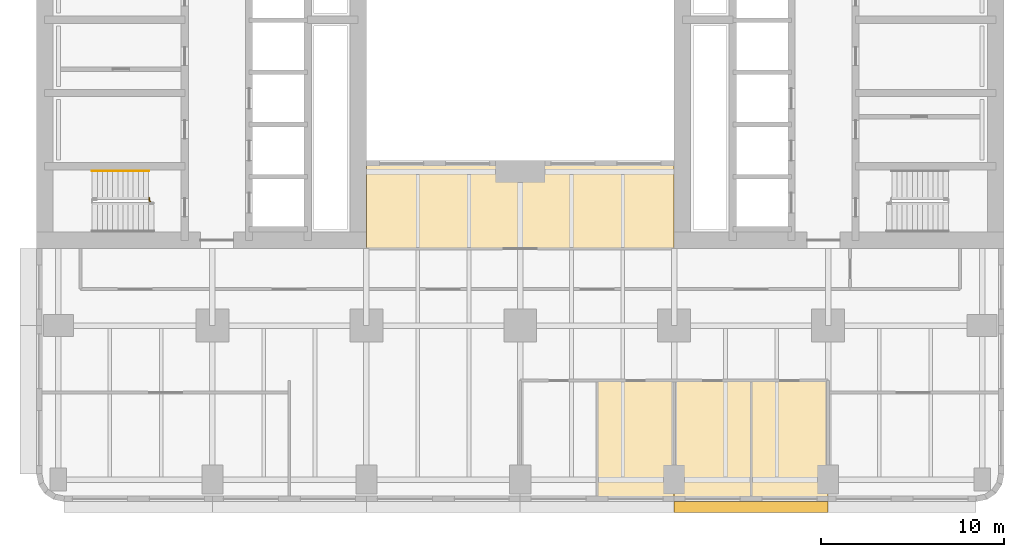
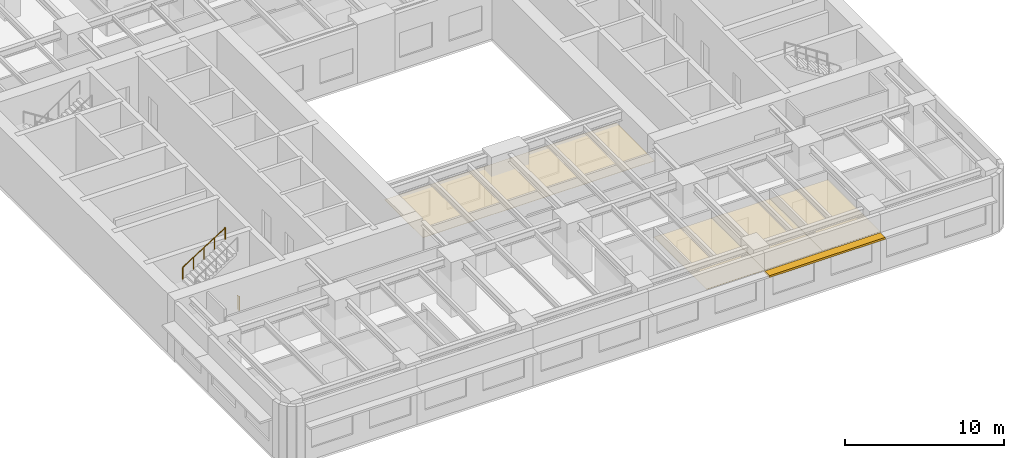
# One storey, part 10 of 14: 4 coverings, 2 railings, 1 shading device.
"""IFC4 building model written with IfcOpenShell, lengths in metres."""

from ifc_helpers import new_model, si_unit, direction, frame, origin, origin_2d, place, context, subcontext, project, spatial, polyline, rectangle, circle, outline, extrude, material, layer, layer_set, type_object, element, save


model = new_model("IFC4")

# Units and contexts
model_context = context("Model", 3, precision=1e-05, world=origin(), true_north=direction((0.0, 1.0)))
body_context = subcontext(model_context, "Body", "Model", "MODEL_VIEW")
ifc_project = project(units=[si_unit("LENGTHUNIT", "METRE"), si_unit("AREAUNIT", "SQUARE_METRE"), si_unit("VOLUMEUNIT", "CUBIC_METRE"), si_unit("PLANEANGLEUNIT", "RADIAN"), si_unit("MASSUNIT", "GRAM", prefix="KILO")], contexts=[model_context])

# Site, building, storey
site_placement = place(None, origin())
site = spatial("IfcSite", under=ifc_project, at=site_placement, CompositionType="ELEMENT")
building_placement = place(site_placement, origin())
building = spatial("IfcBuilding", under=site, at=building_placement, Name="Claustro Exchange Tower", CompositionType="ELEMENT")
storey_placement = place(building_placement, frame((0.0, 0.0, 41.39990234375)))
storey = spatial("IfcBuildingStorey", under=building, at=storey_placement, Name="L09", CompositionType="ELEMENT", Elevation=41.39990234375)

# Coverings
ifc_material_1 = material(Name="Gypsum board ceiling", Category="gypsum board")
ifc_layer_1 = layer(ifc_material_1, 0.02490234375)
ifc_layer_set_1 = layer_set([ifc_layer_1], Name="Gypsum board ceiling")
covering_type = type_object("IfcCoveringType", Name="CL2 plasterboard ceiling", PredefinedType="CEILING", material=ifc_layer_set_1)
covering_1_placement = place(storey_placement, frame((0.0, 0.0, 3.0)))
element("IfcCovering", 1, at=covering_1_placement, inside=storey, type_object=covering_type, Name="Ceiling CL2 L09-04", PredefinedType="CEILING", context=body_context, shape_type="SweptSolid", body=[
    extrude(outline(polyline([(29.39990234375, -1.199951171875), (33.60009765625, -1.199951171875), (33.60009765625, 5.39990234375), (29.39990234375, 5.39990234375), (29.39990234375, -1.199951171875)])), origin(), (0.0, 0.0, 1.0), 0.025146484375),
])
covering_2_placement = place(storey_placement, frame((0.0, 0.0, 3.0)))
element("IfcCovering", 2, at=covering_2_placement, inside=storey, type_object=covering_type, Name="Ceiling CL2 L09-05", PredefinedType="CEILING", context=body_context, shape_type="SweptSolid", body=[
    extrude(outline(polyline([(33.60009765625, -1.199951171875), (37.800048828125, -1.199951171875), (37.800048828125, 5.39990234375), (33.60009765625, 5.39990234375), (33.60009765625, -1.199951171875)])), origin(), (0.0, 0.0, 1.0), 0.025146484375),
])
covering_3_placement = place(storey_placement, frame((0.0, 0.0, 3.0)))
element("IfcCovering", 3, at=covering_3_placement, inside=storey, type_object=covering_type, Name="Ceiling CL2 L09-06", PredefinedType="CEILING", context=body_context, shape_type="SweptSolid", body=[
    extrude(outline(polyline([(37.800048828125, -1.199951171875), (42.0, -1.199951171875), (42.0, 5.39990234375), (37.800048828125, 5.39990234375), (37.800048828125, -1.199951171875)])), origin(), (0.0, 0.0, 1.0), 0.025146484375),
])
covering_4_placement = place(storey_placement, frame((0.0, 0.0, 3.0)))
element("IfcCovering", 4, at=covering_4_placement, inside=storey, type_object=covering_type, Name="Ceiling CL2 L09-10", PredefinedType="CEILING", context=body_context, shape_type="SweptSolid", body=[
    extrude(outline(polyline([(16.800048828125, 17.39990234375), (16.800048828125, 12.60009765625), (33.60009765625, 12.60009765625), (33.60009765625, 17.39990234375), (16.800048828125, 17.39990234375)])), origin(), (0.0, 0.0, 1.0), 0.025146484375),
])

# Railings
ifc_material_2 = material(Name="Steel balustrade, painted", Category="steel")
railing_type_1 = type_object("IfcRailingType", Name="GR2 1100 steel stair guard", PredefinedType="GUARDRAIL", material=ifc_material_2)
railing_1_placement = place(storey_placement, frame((5.0, 15.169921875, 0.0)))
element("IfcRailing", 5, at=railing_1_placement, inside=storey, type_object=railing_type_1, Name="Stair guard GR2 STWA L09", PredefinedType="GUARDRAIL", context=body_context, shape_type="SweptSolid", body=[
    extrude(circle(Radius=0.02392578125, at=origin_2d()), frame((0.0, 0.0, 1.076171875), z_axis=(0.0, 1.0, 0.0), x_axis=(-1.0, 0.0, 0.0)), (0.0, 0.0, 1.0), 0.030029296875),
    extrude(circle(Radius=0.02392578125, at=origin_2d()), frame((0.0, 0.030029296875, 1.076171875), z_axis=(-1.0, 0.0, 0.0), x_axis=(0.0, -1.0, 0.0)), (0.0, 0.0, 1.0), 0.054931640625),
    extrude(circle(Radius=0.02392578125, at=origin_2d()), frame((-0.054931640625, 0.030029296875, 1.076171875), z_axis=(0.0, 1.0, 0.0), x_axis=(-1.0, 0.0, 0.0)), (0.0, 0.0, 1.0), 0.179931640625),
    extrude(circle(Radius=0.02099609375, at=origin_2d()), origin(), (0.0, 0.0, 1.0), 1.052001953125),
    extrude(circle(Radius=0.02099609375, at=origin_2d()), frame((0.0, 0.030029296875, 0.0)), (0.0, 0.0, 1.0), 1.052001953125),
    extrude(circle(Radius=0.02099609375, at=origin_2d()), frame((-0.054931640625, 0.030029296875, 0.0)), (0.0, 0.0, 1.0), 1.052001953125),
    extrude(circle(Radius=0.02099609375, at=origin_2d()), frame((-0.054931640625, 0.2099609375, 0.0)), (0.0, 0.0, 1.0), 1.052001953125),
])
ifc_material_3 = material(Name="Stainless steel tube", Category="steel")
railing_type_2 = type_object("IfcRailingType", Name="HR1 900 stair handrail", PredefinedType="HANDRAIL", material=ifc_material_3)
railing_2_placement = place(storey_placement, frame((1.840087890625, 16.840087890625, 2.52001953125)))
element("IfcRailing", 6, at=railing_2_placement, inside=storey, type_object=railing_type_2, Name="Handrail HR1 stair STWA L09", PredefinedType="HANDRAIL", context=body_context, shape_type="SweptSolid", body=[
    extrude(circle(Radius=0.02392578125, at=origin_2d()), frame((0.0, 0.0, 0.8759765625), z_axis=(0.841167642724, 0.0, 0.540774441735), x_axis=(0.0, 1.0, 0.0)), (0.0, 0.0, 1.0), 3.661376953125),
    extrude(circle(Radius=0.02099609375, at=origin_2d()), origin(), (0.0, 0.0, 1.0), 0.851806640625),
    extrude(circle(Radius=0.02099609375, at=origin_2d()), frame((0.77001953125, 0.0, 0.4951171875)), (0.0, 0.0, 1.0), 0.851806640625),
    extrude(circle(Radius=0.02099609375, at=origin_2d()), frame((1.5400390625, 0.0, 0.989990234375)), (0.0, 0.0, 1.0), 0.851806640625),
    extrude(circle(Radius=0.02099609375, at=origin_2d()), frame((2.309814453125, 0.0, 1.48486328125)), (0.0, 0.0, 1.0), 0.851806640625),
    extrude(circle(Radius=0.02099609375, at=origin_2d()), frame((3.079833984375, 0.0, 1.97998046875)), (0.0, 0.0, 1.0), 0.851806640625),
])

# Shading device
ifc_material_4 = material(Name="Concrete HA-40 (C40/50), precast, white cement, acid-etched", Category="concrete")
ifc_layer_2 = layer(ifc_material_4, 0.14990234375)
ifc_layer_set_2 = layer_set([ifc_layer_2], Name="Concrete HA-40 (C40/50), precast, white cement, acid-etched")
shading_device_type = type_object("IfcShadingDeviceType", Name="SS1 600 precast concrete SUNSHADE", PredefinedType="SHUTTER", material=ifc_layer_set_2)
shading_device_placement = place(storey_placement, frame((37.800048828125, -1.5, 2.800048828125), z_axis=(0.0, 0.0, 1.0), x_axis=(-1.0, 0.0, 0.0)))
element("IfcShadingDevice", 7, at=shading_device_placement, inside=storey, type_object=shading_device_type, Name="Precast SUNSHADE SS1 L09", PredefinedType="SHUTTER", context=body_context, shape_type="SweptSolid", body=[
    extrude(rectangle(XDim=8.39990234375, YDim=0.60009765625, at=origin_2d()), origin(), (0.0, 0.0, 1.0), 0.14990234375),
])

save(model, "model.ifc")
